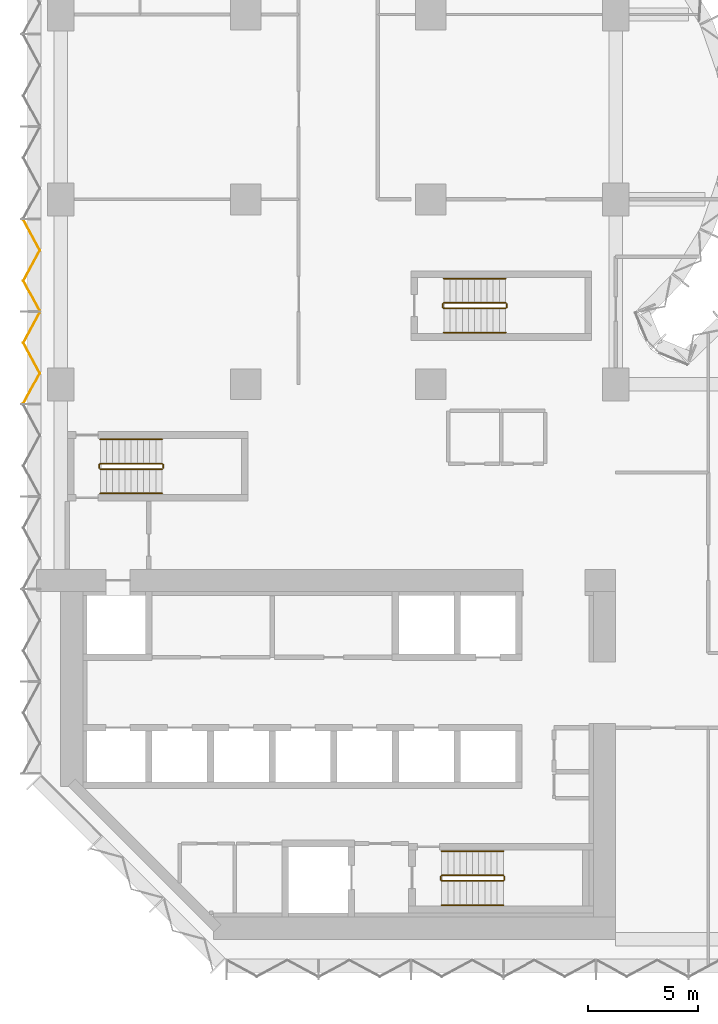
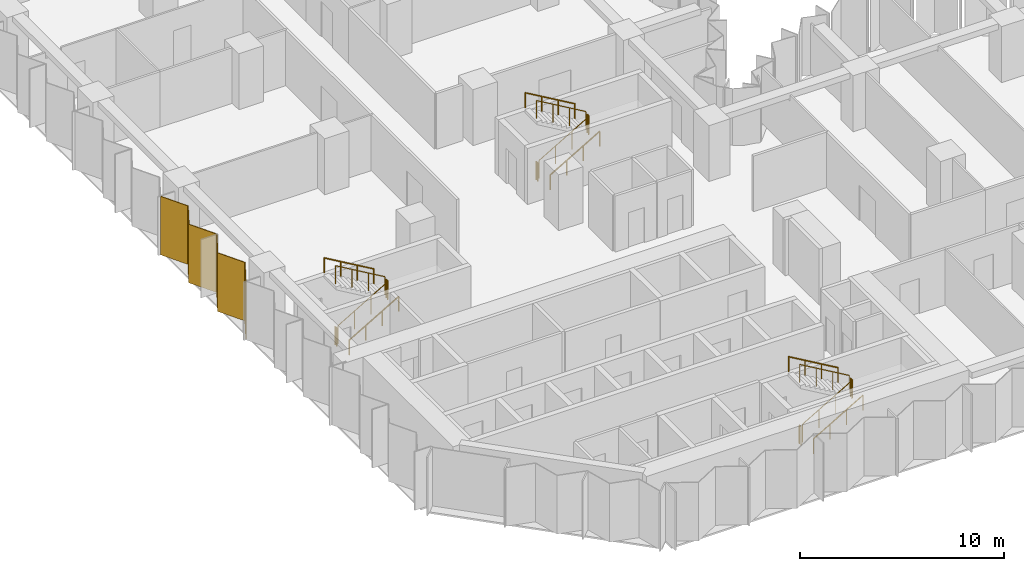
# One storey, part 13 of 15: 18 railings, 2 coverings, 1 element without a shape of its own.
"""IFC4 building model written with IfcOpenShell, lengths in metres."""

from ifc_helpers import new_model, si_unit, direction, frame, origin, origin_2d, place, context, subcontext, project, spatial, polyline, circle, outline, extrude, material, layer, layer_set, type_object, element, aggregate, save


model = new_model("IFC4")

# Units and contexts
model_context = context("Model", 3, precision=1e-05, world=origin(), true_north=direction((0.0, 1.0)))
body_context = subcontext(model_context, "Body", "Model", "MODEL_VIEW")
ifc_project = project(units=[si_unit("LENGTHUNIT", "METRE"), si_unit("AREAUNIT", "SQUARE_METRE"), si_unit("VOLUMEUNIT", "CUBIC_METRE"), si_unit("PLANEANGLEUNIT", "RADIAN"), si_unit("MASSUNIT", "GRAM", prefix="KILO")], contexts=[model_context])

# Site, building, storey
site_placement = place(None, origin())
site = spatial("IfcSite", under=ifc_project, at=site_placement, CompositionType="ELEMENT")
building_placement = place(site_placement, origin())
building = spatial("IfcBuilding", under=site, at=building_placement, Name="Brevane Broadcast Tower", CompositionType="ELEMENT")
storey_placement = place(building_placement, frame((0.0, 0.0, 61.699951171875)))
storey = spatial("IfcBuildingStorey", under=building, at=storey_placement, Name="L13", CompositionType="ELEMENT", Elevation=61.699951171875)

# Railings
ifc_material_1 = material(Name="Steel S355", Category="steel")
railing_type_1 = type_object("IfcRailingType", Name="Exit stair guard", PredefinedType="GUARDRAIL", material=ifc_material_1)
railing_1_placement = place(storey_placement, frame((1.800048828125, 21.35009765625, 0.16357421875)))
element("IfcRailing", 1, at=railing_1_placement, inside=storey, type_object=railing_type_1, Name="L13 ST-1 stair guard 1", PredefinedType="GUARDRAIL", context=body_context, shape_type="SweptSolid", body=[
    extrude(circle(Radius=0.02392578125, at=origin_2d()), frame((0.0, 0.0, 1.076171875), z_axis=(0.863360870873, 0.0, 0.504586966384), x_axis=(0.0, 1.0, 0.0)), (0.0, 0.0, 1.0), 3.2431640625),
    extrude(circle(Radius=0.02099609375, at=origin_2d()), origin(), (0.0, 0.0, 1.0), 1.052001953125),
    extrude(circle(Radius=0.02099609375, at=origin_2d()), frame((0.933349609375, 0.0, 0.54541015625)), (0.0, 0.0, 1.0), 1.052001953125),
    extrude(circle(Radius=0.02099609375, at=origin_2d()), frame((1.86669921875, 0.0, 1.091064453125)), (0.0, 0.0, 1.0), 1.052001953125),
    extrude(circle(Radius=0.02099609375, at=origin_2d()), frame((2.800048828125, 0.0, 1.636474609375)), (0.0, 0.0, 1.0), 1.052001953125),
])
railing_2_placement = place(storey_placement, frame((4.64990234375, 21.39990234375, 1.800048828125)))
element("IfcRailing", 2, at=railing_2_placement, inside=storey, type_object=railing_type_1, Name="L13 ST-1 stair guard 2", PredefinedType="GUARDRAIL", context=body_context, shape_type="SweptSolid", body=[
    extrude(circle(Radius=0.02392578125, at=origin_2d()), frame((0.0, 0.0, 1.076171875), z_axis=(0.0, 1.0, 0.0), x_axis=(-1.0, 0.0, 0.0)), (0.0, 0.0, 1.0), 0.150146484375),
    extrude(circle(Radius=0.02099609375, at=origin_2d()), origin(), (0.0, 0.0, 1.0), 1.052001953125),
    extrude(circle(Radius=0.02099609375, at=origin_2d()), frame((0.0, 0.150146484375, 0.0)), (0.0, 0.0, 1.0), 1.052001953125),
])
railing_3_placement = place(storey_placement, frame((4.60009765625, 21.60009765625, 1.963623046875)))
element("IfcRailing", 3, at=railing_3_placement, inside=storey, type_object=railing_type_1, Name="L13 ST-1 stair guard 3", PredefinedType="GUARDRAIL", context=body_context, shape_type="SweptSolid", body=[
    extrude(circle(Radius=0.02392578125, at=origin_2d()), frame((0.0, 0.0, 1.076171875), z_axis=(-0.863360870873, 0.0, 0.504586966384), x_axis=(0.0, -1.0, 0.0)), (0.0, 0.0, 1.0), 3.2431640625),
    extrude(circle(Radius=0.02099609375, at=origin_2d()), origin(), (0.0, 0.0, 1.0), 1.052001953125),
    extrude(circle(Radius=0.02099609375, at=origin_2d()), frame((-0.933349609375, 0.0, 0.54541015625)), (0.0, 0.0, 1.0), 1.052001953125),
    extrude(circle(Radius=0.02099609375, at=origin_2d()), frame((-1.86669921875, 0.0, 1.091064453125)), (0.0, 0.0, 1.0), 1.052001953125),
    extrude(circle(Radius=0.02099609375, at=origin_2d()), frame((-2.800048828125, 0.0, 1.636474609375)), (0.0, 0.0, 1.0), 1.052001953125),
])
railing_4_placement = place(storey_placement, frame((1.75, 21.39990234375, 0.0)))
element("IfcRailing", 4, at=railing_4_placement, inside=storey, type_object=railing_type_1, Name="L13 ST-1 stair guard 4", PredefinedType="GUARDRAIL", context=body_context, shape_type="SweptSolid", body=[
    extrude(circle(Radius=0.02392578125, at=origin_2d()), frame((0.0, 0.0, 1.076171875), z_axis=(0.0, 1.0, 0.0), x_axis=(-1.0, 0.0, 0.0)), (0.0, 0.0, 1.0), 0.150146484375),
    extrude(circle(Radius=0.02099609375, at=origin_2d()), origin(), (0.0, 0.0, 1.0), 1.052001953125),
    extrude(circle(Radius=0.02099609375, at=origin_2d()), frame((0.0, 0.150146484375, 0.0)), (0.0, 0.0, 1.0), 1.052001953125),
])
railing_5_placement = place(storey_placement, frame((17.300048828125, 2.64990234375, 0.16357421875)))
element("IfcRailing", 5, at=railing_5_placement, inside=storey, type_object=railing_type_1, Name="L13 ST-2 stair guard 1", PredefinedType="GUARDRAIL", context=body_context, shape_type="SweptSolid", body=[
    extrude(circle(Radius=0.02392578125, at=origin_2d()), frame((0.0, 0.0, 1.076171875), z_axis=(0.863360870873, 0.0, 0.504586966384), x_axis=(0.0, 1.0, 0.0)), (0.0, 0.0, 1.0), 3.2431640625),
    extrude(circle(Radius=0.02099609375, at=origin_2d()), origin(), (0.0, 0.0, 1.0), 1.052001953125),
    extrude(circle(Radius=0.02099609375, at=origin_2d()), frame((0.933349609375, 0.0, 0.54541015625)), (0.0, 0.0, 1.0), 1.052001953125),
    extrude(circle(Radius=0.02099609375, at=origin_2d()), frame((1.86669921875, 0.0, 1.091064453125)), (0.0, 0.0, 1.0), 1.052001953125),
    extrude(circle(Radius=0.02099609375, at=origin_2d()), frame((2.800048828125, 0.0, 1.636474609375)), (0.0, 0.0, 1.0), 1.052001953125),
])
railing_6_placement = place(storey_placement, frame((20.14990234375, 2.699951171875, 1.800048828125)))
element("IfcRailing", 6, at=railing_6_placement, inside=storey, type_object=railing_type_1, Name="L13 ST-2 stair guard 2", PredefinedType="GUARDRAIL", context=body_context, shape_type="SweptSolid", body=[
    extrude(circle(Radius=0.02392578125, at=origin_2d()), frame((0.0, 0.0, 1.076171875), z_axis=(0.0, 1.0, 0.0), x_axis=(-1.0, 0.0, 0.0)), (0.0, 0.0, 1.0), 0.150146484375),
    extrude(circle(Radius=0.02099609375, at=origin_2d()), origin(), (0.0, 0.0, 1.0), 1.052001953125),
    extrude(circle(Radius=0.02099609375, at=origin_2d()), frame((0.0, 0.150146484375, 0.0)), (0.0, 0.0, 1.0), 1.052001953125),
])
railing_7_placement = place(storey_placement, frame((20.10009765625, 2.89990234375, 1.963623046875)))
element("IfcRailing", 7, at=railing_7_placement, inside=storey, type_object=railing_type_1, Name="L13 ST-2 stair guard 3", PredefinedType="GUARDRAIL", context=body_context, shape_type="SweptSolid", body=[
    extrude(circle(Radius=0.02392578125, at=origin_2d()), frame((0.0, 0.0, 1.076171875), z_axis=(-0.863360870873, 0.0, 0.504586966384), x_axis=(0.0, -1.0, 0.0)), (0.0, 0.0, 1.0), 3.2431640625),
    extrude(circle(Radius=0.02099609375, at=origin_2d()), origin(), (0.0, 0.0, 1.0), 1.052001953125),
    extrude(circle(Radius=0.02099609375, at=origin_2d()), frame((-0.933349609375, 0.0, 0.54541015625)), (0.0, 0.0, 1.0), 1.052001953125),
    extrude(circle(Radius=0.02099609375, at=origin_2d()), frame((-1.86669921875, 0.0, 1.091064453125)), (0.0, 0.0, 1.0), 1.052001953125),
    extrude(circle(Radius=0.02099609375, at=origin_2d()), frame((-2.800048828125, 0.0, 1.636474609375)), (0.0, 0.0, 1.0), 1.052001953125),
])
railing_8_placement = place(storey_placement, frame((17.25, 2.699951171875, 0.0)))
element("IfcRailing", 8, at=railing_8_placement, inside=storey, type_object=railing_type_1, Name="L13 ST-2 stair guard 4", PredefinedType="GUARDRAIL", context=body_context, shape_type="SweptSolid", body=[
    extrude(circle(Radius=0.02392578125, at=origin_2d()), frame((0.0, 0.0, 1.076171875), z_axis=(0.0, 1.0, 0.0), x_axis=(-1.0, 0.0, 0.0)), (0.0, 0.0, 1.0), 0.150146484375),
    extrude(circle(Radius=0.02099609375, at=origin_2d()), origin(), (0.0, 0.0, 1.0), 1.052001953125),
    extrude(circle(Radius=0.02099609375, at=origin_2d()), frame((0.0, 0.150146484375, 0.0)), (0.0, 0.0, 1.0), 1.052001953125),
])
railing_9_placement = place(storey_placement, frame((17.39990234375, 28.64990234375, 0.16357421875)))
element("IfcRailing", 9, at=railing_9_placement, inside=storey, type_object=railing_type_1, Name="L13 ST-3 stair guard 1", PredefinedType="GUARDRAIL", context=body_context, shape_type="SweptSolid", body=[
    extrude(circle(Radius=0.02392578125, at=origin_2d()), frame((0.0, 0.0, 1.076171875), z_axis=(0.863360870873, 0.0, 0.504586966384), x_axis=(0.0, 1.0, 0.0)), (0.0, 0.0, 1.0), 3.2431640625),
    extrude(circle(Radius=0.02099609375, at=origin_2d()), origin(), (0.0, 0.0, 1.0), 1.052001953125),
    extrude(circle(Radius=0.02099609375, at=origin_2d()), frame((0.933349609375, 0.0, 0.54541015625)), (0.0, 0.0, 1.0), 1.052001953125),
    extrude(circle(Radius=0.02099609375, at=origin_2d()), frame((1.86669921875, 0.0, 1.091064453125)), (0.0, 0.0, 1.0), 1.052001953125),
    extrude(circle(Radius=0.02099609375, at=origin_2d()), frame((2.800048828125, 0.0, 1.636474609375)), (0.0, 0.0, 1.0), 1.052001953125),
])
railing_10_placement = place(storey_placement, frame((20.25, 28.699951171875, 1.800048828125)))
element("IfcRailing", 10, at=railing_10_placement, inside=storey, type_object=railing_type_1, Name="L13 ST-3 stair guard 2", PredefinedType="GUARDRAIL", context=body_context, shape_type="SweptSolid", body=[
    extrude(circle(Radius=0.02392578125, at=origin_2d()), frame((0.0, 0.0, 1.076171875), z_axis=(0.0, 1.0, 0.0), x_axis=(-1.0, 0.0, 0.0)), (0.0, 0.0, 1.0), 0.150146484375),
    extrude(circle(Radius=0.02099609375, at=origin_2d()), origin(), (0.0, 0.0, 1.0), 1.052001953125),
    extrude(circle(Radius=0.02099609375, at=origin_2d()), frame((0.0, 0.150146484375, 0.0)), (0.0, 0.0, 1.0), 1.052001953125),
])
railing_11_placement = place(storey_placement, frame((20.199951171875, 28.89990234375, 1.963623046875)))
element("IfcRailing", 11, at=railing_11_placement, inside=storey, type_object=railing_type_1, Name="L13 ST-3 stair guard 3", PredefinedType="GUARDRAIL", context=body_context, shape_type="SweptSolid", body=[
    extrude(circle(Radius=0.02392578125, at=origin_2d()), frame((0.0, 0.0, 1.076171875), z_axis=(-0.863360870873, 0.0, 0.504586966384), x_axis=(0.0, -1.0, 0.0)), (0.0, 0.0, 1.0), 3.2431640625),
    extrude(circle(Radius=0.02099609375, at=origin_2d()), origin(), (0.0, 0.0, 1.0), 1.052001953125),
    extrude(circle(Radius=0.02099609375, at=origin_2d()), frame((-0.933349609375, 0.0, 0.54541015625)), (0.0, 0.0, 1.0), 1.052001953125),
    extrude(circle(Radius=0.02099609375, at=origin_2d()), frame((-1.86669921875, 0.0, 1.091064453125)), (0.0, 0.0, 1.0), 1.052001953125),
    extrude(circle(Radius=0.02099609375, at=origin_2d()), frame((-2.800048828125, 0.0, 1.636474609375)), (0.0, 0.0, 1.0), 1.052001953125),
])
railing_12_placement = place(storey_placement, frame((17.35009765625, 28.699951171875, 0.0)))
element("IfcRailing", 12, at=railing_12_placement, inside=storey, type_object=railing_type_1, Name="L13 ST-3 stair guard 4", PredefinedType="GUARDRAIL", context=body_context, shape_type="SweptSolid", body=[
    extrude(circle(Radius=0.02392578125, at=origin_2d()), frame((0.0, 0.0, 1.076171875), z_axis=(0.0, 1.0, 0.0), x_axis=(-1.0, 0.0, 0.0)), (0.0, 0.0, 1.0), 0.150146484375),
    extrude(circle(Radius=0.02099609375, at=origin_2d()), origin(), (0.0, 0.0, 1.0), 1.052001953125),
    extrude(circle(Radius=0.02099609375, at=origin_2d()), frame((0.0, 0.150146484375, 0.0)), (0.0, 0.0, 1.0), 1.052001953125),
])
railing_type_2 = type_object("IfcRailingType", Name="Exit stair handrail", PredefinedType="HANDRAIL", material=ifc_material_1)
railing_13_placement = place(storey_placement, frame((1.800048828125, 20.25, 0.16357421875)))
element("IfcRailing", 13, at=railing_13_placement, inside=storey, type_object=railing_type_2, Name="L13 ST-1 stair handrail 1", PredefinedType="HANDRAIL", context=body_context, shape_type="SweptSolid", body=[
    extrude(circle(Radius=0.02392578125, at=origin_2d()), frame((0.0, 0.0, 0.8759765625), z_axis=(0.863360870873, 0.0, 0.504586966384), x_axis=(0.0, 1.0, 0.0)), (0.0, 0.0, 1.0), 3.2431640625),
    extrude(circle(Radius=0.02099609375, at=origin_2d()), origin(), (0.0, 0.0, 1.0), 0.851806640625),
    extrude(circle(Radius=0.02099609375, at=origin_2d()), frame((0.933349609375, 0.0, 0.54541015625)), (0.0, 0.0, 1.0), 0.851806640625),
    extrude(circle(Radius=0.02099609375, at=origin_2d()), frame((1.86669921875, 0.0, 1.091064453125)), (0.0, 0.0, 1.0), 0.851806640625),
    extrude(circle(Radius=0.02099609375, at=origin_2d()), frame((2.800048828125, 0.0, 1.636474609375)), (0.0, 0.0, 1.0), 0.851806640625),
])
railing_14_placement = place(storey_placement, frame((4.60009765625, 22.699951171875, 1.963623046875)))
element("IfcRailing", 14, at=railing_14_placement, inside=storey, type_object=railing_type_2, Name="L13 ST-1 stair handrail 2", PredefinedType="HANDRAIL", context=body_context, shape_type="SweptSolid", body=[
    extrude(circle(Radius=0.02392578125, at=origin_2d()), frame((0.0, 0.0, 0.8759765625), z_axis=(-0.863360870873, 0.0, 0.504586966384), x_axis=(0.0, -1.0, 0.0)), (0.0, 0.0, 1.0), 3.2431640625),
    extrude(circle(Radius=0.02099609375, at=origin_2d()), origin(), (0.0, 0.0, 1.0), 0.851806640625),
    extrude(circle(Radius=0.02099609375, at=origin_2d()), frame((-0.933349609375, 0.0, 0.54541015625)), (0.0, 0.0, 1.0), 0.851806640625),
    extrude(circle(Radius=0.02099609375, at=origin_2d()), frame((-1.86669921875, 0.0, 1.091064453125)), (0.0, 0.0, 1.0), 0.851806640625),
    extrude(circle(Radius=0.02099609375, at=origin_2d()), frame((-2.800048828125, 0.0, 1.636474609375)), (0.0, 0.0, 1.0), 0.851806640625),
])
railing_15_placement = place(storey_placement, frame((17.300048828125, 1.550048828125, 0.16357421875)))
element("IfcRailing", 15, at=railing_15_placement, inside=storey, type_object=railing_type_2, Name="L13 ST-2 stair handrail 1", PredefinedType="HANDRAIL", context=body_context, shape_type="SweptSolid", body=[
    extrude(circle(Radius=0.02392578125, at=origin_2d()), frame((0.0, 0.0, 0.8759765625), z_axis=(0.863360870873, 0.0, 0.504586966384), x_axis=(0.0, 1.0, 0.0)), (0.0, 0.0, 1.0), 3.2431640625),
    extrude(circle(Radius=0.02099609375, at=origin_2d()), origin(), (0.0, 0.0, 1.0), 0.851806640625),
    extrude(circle(Radius=0.02099609375, at=origin_2d()), frame((0.933349609375, 0.0, 0.54541015625)), (0.0, 0.0, 1.0), 0.851806640625),
    extrude(circle(Radius=0.02099609375, at=origin_2d()), frame((1.86669921875, 0.0, 1.091064453125)), (0.0, 0.0, 1.0), 0.851806640625),
    extrude(circle(Radius=0.02099609375, at=origin_2d()), frame((2.800048828125, 0.0, 1.636474609375)), (0.0, 0.0, 1.0), 0.851806640625),
])
railing_16_placement = place(storey_placement, frame((20.10009765625, 4.0, 1.963623046875)))
element("IfcRailing", 16, at=railing_16_placement, inside=storey, type_object=railing_type_2, Name="L13 ST-2 stair handrail 2", PredefinedType="HANDRAIL", context=body_context, shape_type="SweptSolid", body=[
    extrude(circle(Radius=0.02392578125, at=origin_2d()), frame((0.0, 0.0, 0.8759765625), z_axis=(-0.863360870873, 0.0, 0.504586966384), x_axis=(0.0, -1.0, 0.0)), (0.0, 0.0, 1.0), 3.2431640625),
    extrude(circle(Radius=0.02099609375, at=origin_2d()), origin(), (0.0, 0.0, 1.0), 0.851806640625),
    extrude(circle(Radius=0.02099609375, at=origin_2d()), frame((-0.933349609375, 0.0, 0.54541015625)), (0.0, 0.0, 1.0), 0.851806640625),
    extrude(circle(Radius=0.02099609375, at=origin_2d()), frame((-1.86669921875, 0.0, 1.091064453125)), (0.0, 0.0, 1.0), 0.851806640625),
    extrude(circle(Radius=0.02099609375, at=origin_2d()), frame((-2.800048828125, 0.0, 1.636474609375)), (0.0, 0.0, 1.0), 0.851806640625),
])
railing_17_placement = place(storey_placement, frame((17.39990234375, 27.550048828125, 0.16357421875)))
element("IfcRailing", 17, at=railing_17_placement, inside=storey, type_object=railing_type_2, Name="L13 ST-3 stair handrail 1", PredefinedType="HANDRAIL", context=body_context, shape_type="SweptSolid", body=[
    extrude(circle(Radius=0.02392578125, at=origin_2d()), frame((0.0, 0.0, 0.8759765625), z_axis=(0.863360870873, 0.0, 0.504586966384), x_axis=(0.0, 1.0, 0.0)), (0.0, 0.0, 1.0), 3.2431640625),
    extrude(circle(Radius=0.02099609375, at=origin_2d()), origin(), (0.0, 0.0, 1.0), 0.851806640625),
    extrude(circle(Radius=0.02099609375, at=origin_2d()), frame((0.933349609375, 0.0, 0.54541015625)), (0.0, 0.0, 1.0), 0.851806640625),
    extrude(circle(Radius=0.02099609375, at=origin_2d()), frame((1.86669921875, 0.0, 1.091064453125)), (0.0, 0.0, 1.0), 0.851806640625),
    extrude(circle(Radius=0.02099609375, at=origin_2d()), frame((2.800048828125, 0.0, 1.636474609375)), (0.0, 0.0, 1.0), 0.851806640625),
])
railing_18_placement = place(storey_placement, frame((20.199951171875, 30.0, 1.963623046875)))
element("IfcRailing", 18, at=railing_18_placement, inside=storey, type_object=railing_type_2, Name="L13 ST-3 stair handrail 2", PredefinedType="HANDRAIL", context=body_context, shape_type="SweptSolid", body=[
    extrude(circle(Radius=0.02392578125, at=origin_2d()), frame((0.0, 0.0, 0.8759765625), z_axis=(-0.863360870873, 0.0, 0.504586966384), x_axis=(0.0, -1.0, 0.0)), (0.0, 0.0, 1.0), 3.2431640625),
    extrude(circle(Radius=0.02099609375, at=origin_2d()), origin(), (0.0, 0.0, 1.0), 0.851806640625),
    extrude(circle(Radius=0.02099609375, at=origin_2d()), frame((-0.933349609375, 0.0, 0.54541015625)), (0.0, 0.0, 1.0), 0.851806640625),
    extrude(circle(Radius=0.02099609375, at=origin_2d()), frame((-1.86669921875, 0.0, 1.091064453125)), (0.0, 0.0, 1.0), 0.851806640625),
    extrude(circle(Radius=0.02099609375, at=origin_2d()), frame((-2.800048828125, 0.0, 1.636474609375)), (0.0, 0.0, 1.0), 0.851806640625),
])

# Curtain wall, coverings
ifc_material_2 = material(Name="Aluminium 6063-T6 bronze anodised", Category="aluminium")
curtain_wall_type = type_object("IfcCurtainWallType", Name="CW-1 curtain wall", PredefinedType="NOTDEFINED", material=ifc_material_2)
curtain_wall_placement = place(storey_placement, origin())
curtain_wall = element("IfcCurtainWall", 19, at=curtain_wall_placement, inside=storey, type_object=curtain_wall_type, Name="CW-1 typical tilted unit L13 west face", PredefinedType="NOTDEFINED")
ifc_material_3 = material(Name="Back-painted bronze glass shadow-box", Category="glass")
ifc_layer = layer(ifc_material_3, 0.0400390625)
ifc_layer_set = layer_set([ifc_layer], Name="Shadow-box panel 40")
covering_type = type_object("IfcCoveringType", Name="Shadow-box panel 40", PredefinedType="CLADDING", material=ifc_layer_set)
covering_1_placement = place(storey_placement, frame((0.0, 0.0, -0.14990234375)))
covering_1 = element("IfcCovering", 20, at=covering_1_placement, type_object=covering_type, Name="Shadow-box panel", PredefinedType="CLADDING", context=body_context, shape_type="SweptSolid", body=[
    extrude(outline(polyline([(-1.671630859375, 32.6650390625), (-1.717041015625, 32.6650390625), (-0.97265625, 31.288330078125), (-1.717041015625, 29.91162109375), (-0.97265625, 28.534912109375), (-0.92724609375, 28.534912109375), (-1.671630859375, 29.91162109375), (-0.92724609375, 31.288330078125), (-1.671630859375, 32.6650390625)])), origin(), (0.0, 0.0, 1.0), 3.5),
])
covering_2_placement = place(storey_placement, frame((0.0, 0.0, -0.14990234375)))
covering_2 = element("IfcCovering", 21, at=covering_2_placement, type_object=covering_type, Name="Shadow-box panel", PredefinedType="CLADDING", context=body_context, shape_type="SweptSolid", body=[
    extrude(outline(polyline([(-0.92724609375, 28.465087890625), (-0.97265625, 28.465087890625), (-1.717041015625, 27.08837890625), (-0.97265625, 25.711669921875), (-1.717041015625, 24.3349609375), (-1.671630859375, 24.3349609375), (-0.92724609375, 25.711669921875), (-1.671630859375, 27.08837890625), (-0.92724609375, 28.465087890625)])), origin(), (0.0, 0.0, 1.0), 3.5),
])
aggregate(curtain_wall, [covering_1, covering_2])

save(model, "model.ifc")
